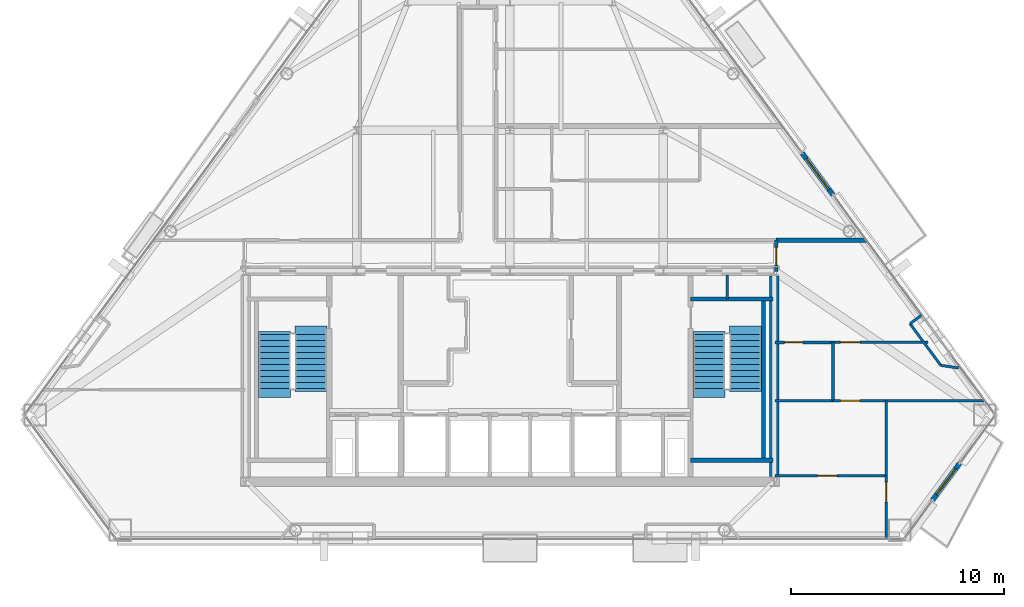
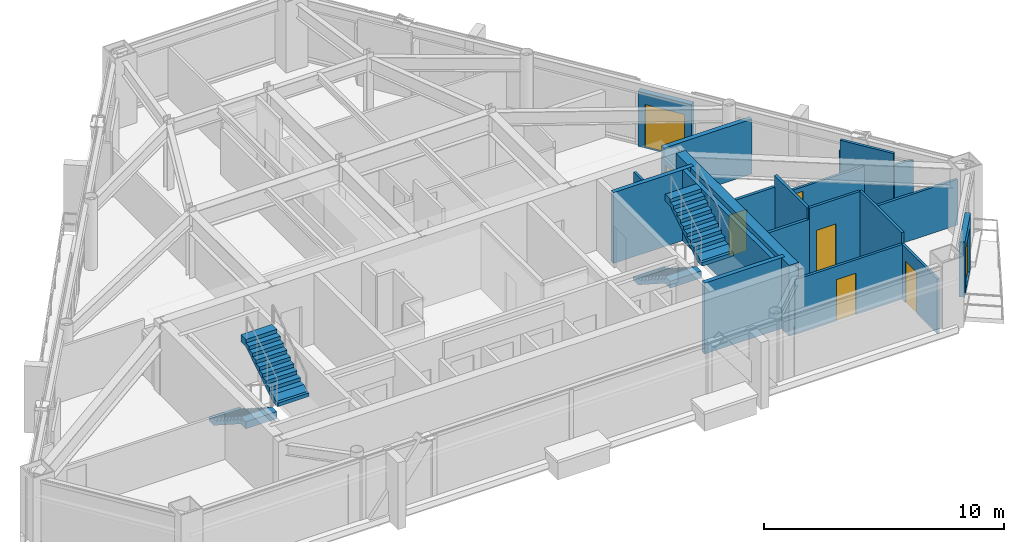
# One storey, part 9 of 11: 21 walls, 8 doors, 4 stair flights, 8 openings, 2 elements without a shape of their own.
"""IFC4 building model written with IfcOpenShell, lengths in metres."""

from ifc_helpers import new_model, si_unit, direction, frame, frame_2d, origin, place, context, subcontext, project, spatial, polyline, rectangle, outline, extrude, material, layer, layer_set, type_object, element, fill, aggregate, save


model = new_model("IFC4")

# Units and contexts
model_context = context("Model", 3, precision=1e-05, world=origin(), true_north=direction((0.0, 1.0)))
body_context = subcontext(model_context, "Body", "Model", "MODEL_VIEW")
ifc_project = project(units=[si_unit("LENGTHUNIT", "METRE"), si_unit("AREAUNIT", "SQUARE_METRE"), si_unit("VOLUMEUNIT", "CUBIC_METRE"), si_unit("PLANEANGLEUNIT", "RADIAN"), si_unit("MASSUNIT", "GRAM", prefix="KILO")], contexts=[model_context])

# Site, building, storey
site_placement = place(None, origin())
site = spatial("IfcSite", under=ifc_project, at=site_placement, CompositionType="ELEMENT")
building_placement = place(site_placement, origin())
building = spatial("IfcBuilding", under=site, at=building_placement, Name="Talgorran Terracotta Tower", CompositionType="ELEMENT")
storey_placement = place(building_placement, frame((0.0, 0.0, 178.5)))
storey = spatial("IfcBuildingStorey", under=building, at=storey_placement, Name="L46", CompositionType="ELEMENT", Elevation=178.5)

# Wall, opening, door
ifc_material_1 = material(Name="Concrete C40/50", Category="concrete")
ifc_layer_1 = layer(ifc_material_1, 0.239990234375, Name="WT_BALCONY_SPAND")
ifc_layer_set_1 = layer_set([ifc_layer_1], Name="Concrete C40/50")
wall_type_1 = type_object("IfcWallType", Name="WT_BALCONY_SPAND", PredefinedType="STANDARD", material=ifc_layer_set_1)
wall_1_placement = place(storey_placement, frame((15.168212890625, -0.63330078125, -0.014892578125), z_axis=(0.0, 0.0, 1.0), x_axis=(-0.593448168385, 0.804872208142, 0.0)))
wall_1 = element("IfcWall", 1, at=wall_1_placement, inside=storey, type_object=wall_type_1, Name="WL-L46-BALP-BAL-NE", PredefinedType="STANDARD", context=body_context, shape_type="SweptSolid", body=[
    extrude(rectangle(XDim=2.43994140625, YDim=0.239990234375, at=frame_2d((1.219970703125, 0.0))), origin(), (0.0, 0.0, 1.0), 2.806884765625),
])
opening_1_placement = place(wall_1_placement, frame((0.320068359375, 0.0, 0.014892578125)))
opening_1 = element("IfcOpeningElement", 2, at=opening_1_placement, cuts=wall_1, Name="Opening D-BAL-L46-1", PredefinedType="OPENING", context=body_context, shape_type="SweptSolid", body=[
    extrude(rectangle(XDim=1.806048828125, YDim=2.203951171875, at=frame_2d((0.89990234375, 1.10205078125))), frame((0.0, 0.1298828125, 0.0), z_axis=(0.0, -1.0, 0.0), x_axis=(1.0, 0.0, 0.0)), (0.0, 0.0, 1.0), 0.260009765625),
])
ifc_material_2 = material(Name="Thermally Broken Aluminium", Category="aluminium")
door_type_1 = type_object("IfcDoorType", Name="DT_BALC_1800", OperationType="SLIDING_TO_LEFT", PredefinedType="DOOR", material=ifc_material_2)
door_1_placement = place(opening_1_placement, origin())
door_1 = element("IfcDoor", 3, at=door_1_placement, inside=storey, type_object=door_type_1, Name="DR-L46-BAL-BAL-NE", OperationType="SLIDING_TO_LEFT", OverallHeight=2.199951171875, OverallWidth=1.800048828125, PredefinedType="DOOR", context=body_context, shape_type="SweptSolid", body=[
    extrude(rectangle(XDim=1.800048828125, YDim=2.199951171875, at=frame_2d((0.89990234375, 1.10009765625))), frame((0.0, 0.02490234375, 0.0), z_axis=(0.0, -1.0, 0.0), x_axis=(1.0, 0.0, 0.0)), (0.0, 0.0, 1.0), 0.050048828125),
])
fill(opening_1, door_1)

wall_2_placement = place(storey_placement, frame((19.843994140625, -14.966796875, -0.014892578125), z_axis=(0.0, 0.0, 1.0), x_axis=(0.593463631131, 0.804860806926, 0.0)))
wall_2 = element("IfcWall", 4, at=wall_2_placement, inside=storey, type_object=wall_type_1, Name="WL-L46-BALP-BAL-SE", PredefinedType="STANDARD", context=body_context, shape_type="SweptSolid", body=[
    extrude(rectangle(XDim=2.139892578125, YDim=0.239990234375, at=frame_2d((1.06982421875, 0.0))), origin(), (0.0, 0.0, 1.0), 2.806884765625),
])
opening_2_placement = place(wall_2_placement, frame((0.320068359375, 0.0, 0.014892578125)))
opening_2 = element("IfcOpeningElement", 5, at=opening_2_placement, cuts=wall_2, Name="Opening D-BAL-L46-3", PredefinedType="OPENING", context=body_context, shape_type="SweptSolid", body=[
    extrude(rectangle(XDim=1.506, YDim=2.203951171875, at=frame_2d((0.75, 1.10205078125))), frame((0.0, 0.1298828125, 0.0), z_axis=(0.0, -1.0, 0.0), x_axis=(1.0, 0.0, 0.0)), (0.0, 0.0, 1.0), 0.260009765625),
])
door_type_2 = type_object("IfcDoorType", Name="DT_BALC_1500", OperationType="SLIDING_TO_RIGHT", PredefinedType="DOOR", material=ifc_material_2)
door_2_placement = place(opening_2_placement, origin())
door_2 = element("IfcDoor", 6, at=door_2_placement, inside=storey, type_object=door_type_2, Name="DR-L46-BAL-BAL-SE", OperationType="SLIDING_TO_RIGHT", OverallHeight=2.199951171875, OverallWidth=1.5, PredefinedType="DOOR", context=body_context, shape_type="SweptSolid", body=[
    extrude(rectangle(XDim=1.5, YDim=2.199951171875, at=frame_2d((0.75, 1.10009765625))), frame((0.0, 0.02490234375, 0.0), z_axis=(0.0, -1.0, 0.0), x_axis=(1.0, 0.0, 0.0)), (0.0, 0.0, 1.0), 0.050048828125),
])
fill(opening_2, door_2)

# Walls
ifc_material_3 = material(Name="Concrete C50/60", Category="concrete")
ifc_layer_2 = layer(ifc_material_3, 0.199951171875, Name="WT_CORE_200")
ifc_layer_set_2 = layer_set([ifc_layer_2], Name="Concrete C50/60")
wall_type_2 = type_object("IfcWallType", Name="WT_CORE_200", PredefinedType="SOLIDWALL", material=ifc_layer_set_2)
for number, where, z_axis, x_axis, name in (
    (7, (8.47998046875, -5.52001953125, 0.0), (0.0, 0.0, 1.0), (1.0, 0.0, 0.0), "WL-L46-CW-ST2-N"),
    (8, (8.47998046875, -13.10009765625, 0.0), (0.0, 0.0, 1.0), (1.0, 0.0, 0.0), "WL-L46-CW-ST2-S"),
):
    element("IfcWall", number, at=place(storey_placement, frame(where, z_axis=z_axis, x_axis=x_axis)), inside=storey, type_object=wall_type_2, Name=name, PredefinedType="SOLIDWALL", context=body_context, shape_type="SweptSolid", body=[
        extrude(rectangle(XDim=3.8701171875, YDim=0.199951171875, at=frame_2d((1.93505859375, 0.0))), origin(), (0.0, 0.0, 1.0), 3.60009765625),
    ])
wall_3_placement = place(storey_placement, frame((11.89990234375, -13.10009765625, 0.0), z_axis=(0.0, 0.0, 1.0), x_axis=(0.0, 1.0, 0.0)))
element("IfcWall", 9, at=wall_3_placement, inside=storey, type_object=wall_type_2, Name="WL-L46-CW-ST2-E", PredefinedType="SOLIDWALL", context=body_context, shape_type="SweptSolid", body=[
    extrude(rectangle(XDim=7.580078125, YDim=0.199951171875, at=frame_2d((3.7900390625, 0.0))), origin(), (0.0, 0.0, 1.0), 3.60009765625),
])
ifc_material_4 = material(Name="Concrete C65/80", Category="concrete")
ifc_layer_3 = layer(ifc_material_4, 0.449951171875, Name="WT_CORE_EXT")
ifc_layer_set_3 = layer_set([ifc_layer_3], Name="Concrete C65/80")
wall_type_3 = type_object("IfcWallType", Name="WT_CORE_EXT", PredefinedType="SHEAR", material=ifc_layer_set_3)
wall_4_placement = place(storey_placement, frame((12.39990234375, -13.85009765625, 0.0), z_axis=(0.0, 0.0, 1.0), x_axis=(0.0, 1.0, 0.0)))
element("IfcWall", 10, at=wall_4_placement, inside=storey, type_object=wall_type_3, Name="WL-L46-CW-OUT-E", PredefinedType="SHEAR", context=body_context, shape_type="SweptSolid", body=[
    extrude(rectangle(XDim=9.400146484375, YDim=0.449951171875, at=frame_2d((4.7001953125, 0.0))), origin(), (0.0, 0.0, 1.0), 3.60009765625),
])

# Wall, opening, door
ifc_material_5 = material(Name="Fire-Rated Steel Stud Plasterboard", Category="steel")
ifc_layer_4 = layer(ifc_material_5, 0.14990234375, Name="WT_FIRE_150")
ifc_layer_set_4 = layer_set([ifc_layer_4], Name="Fire-Rated Steel Stud Plasterboard")
wall_type_4 = type_object("IfcWallType", Name="WT_FIRE_150", PredefinedType="PARTITIONING", material=ifc_layer_set_4)
wall_5_placement = place(storey_placement, frame((12.5, -4.239990234375, 0.0), z_axis=(0.0, 0.0, 1.0), x_axis=(0.0, 1.0, 0.0)))
wall_5 = element("IfcWall", 11, at=wall_5_placement, inside=storey, type_object=wall_type_4, Name="WL-L46-W-L46-R01", PredefinedType="PARTITIONING", context=body_context, shape_type="SweptSolid", body=[
    extrude(rectangle(XDim=1.47998046875, YDim=0.14990234375, at=frame_2d((0.739990234375, 0.0))), origin(), (0.0, 0.0, 1.0), 2.324951171875),
])
opening_3_placement = place(wall_5_placement, frame((0.31494140625, 0.0, 0.0)))
opening_3 = element("IfcOpeningElement", 12, at=opening_3_placement, cuts=wall_5, Name="Opening DR-L46-R01", PredefinedType="OPENING", context=body_context, shape_type="SweptSolid", body=[
    extrude(rectangle(XDim=0.826068359375, YDim=2.10409765625, at=frame_2d((0.41015625, 1.052001953125))), frame((0.0, 0.0849609375, 0.0), z_axis=(0.0, -1.0, 0.0), x_axis=(1.0, 0.0, 0.0)), (0.0, 0.0, 1.0), 0.169921875),
])
ifc_material_6 = material(Name="Moisture-Resistant Solid Timber", Category="wood")
door_type_3 = type_object("IfcDoorType", Name="DT_INT_820", OperationType="NOTDEFINED", PredefinedType="DOOR", material=ifc_material_6)
door_3_placement = place(opening_3_placement, origin())
door_3 = element("IfcDoor", 13, at=door_3_placement, inside=storey, type_object=door_type_3, Name="DR-L46-R01", OperationType="SINGLE_SWING_LEFT", OverallHeight=2.10009765625, OverallWidth=0.820068359375, PredefinedType="DOOR", context=body_context, shape_type="SweptSolid", body=[
    extrude(rectangle(XDim=0.820068359375, YDim=2.10009765625, at=frame_2d((0.41015625, 1.050048828125))), frame((0.0, 0.02490234375, 0.0), z_axis=(0.0, -1.0, 0.0), x_axis=(1.0, 0.0, 0.0)), (0.0, 0.0, 1.0), 0.050048828125),
])
fill(opening_3, door_3)

# Walls
ifc_material_7 = material(Name="Acoustic Masonry and Plasterboard", Category="masonry")
ifc_layer_5 = layer(ifc_material_7, 0.219970703125, Name="WT_PARTY_220")
ifc_layer_set_5 = layer_set([ifc_layer_5], Name="Acoustic Masonry and Plasterboard")
wall_type_5 = type_object("IfcWallType", Name="WT_PARTY_220", PredefinedType="PARTITIONING", material=ifc_layer_set_5)
wall_6_placement = place(storey_placement, frame((12.5, -2.760009765625, 0.0), z_axis=(0.0, 0.0, 1.0), x_axis=(1.0, 0.0, 0.0)))
element("IfcWall", 14, at=wall_6_placement, inside=storey, type_object=wall_type_5, Name="WL-L46-W-L46-R16", PredefinedType="PARTITIONING", context=body_context, shape_type="SweptSolid", body=[
    extrude(rectangle(XDim=4.236572265625, YDim=0.219970703125, at=frame_2d((2.1181640625, 0.0))), origin(), (0.0, 0.0, 1.0), 2.7919921875),
])
ifc_material_8 = material(Name="Insulated Steel Stud Plasterboard", Category="steel")
ifc_layer_6 = layer(ifc_material_8, 0.1201171875, Name="WT_PART_120")
ifc_layer_set_6 = layer_set([ifc_layer_6], Name="Insulated Steel Stud Plasterboard")
wall_type_6 = type_object("IfcWallType", Name="WT_PART_120", PredefinedType="PARTITIONING", material=ifc_layer_set_6)
wall_7_placement = place(storey_placement, frame((10.199951171875, -5.52001953125, 0.0), z_axis=(0.0, 0.0, 1.0), x_axis=(0.0, 1.0, 0.0)))
element("IfcWall", 15, at=wall_7_placement, inside=storey, type_object=wall_type_6, Name="WL-L46-CW-CSE-DIV", PredefinedType="PARTITIONING", context=body_context, shape_type="SweptSolid", body=[
    extrude(rectangle(XDim=1.1201171875, YDim=0.1201171875, at=frame_2d((0.56005859375, 0.0))), origin(), (0.0, 0.0, 1.0), 3.35009765625),
])

# Wall, opening, door
wall_8_placement = place(storey_placement, frame((12.43994140625, -13.820068359375, 0.0), z_axis=(0.0, 0.0, 1.0), x_axis=(1.0, 0.0, 0.0)))
wall_8 = element("IfcWall", 16, at=wall_8_placement, inside=storey, type_object=wall_type_6, Name="WL-L46-W-L46-R21", PredefinedType="PARTITIONING", context=body_context, shape_type="SweptSolid", body=[
    extrude(rectangle(XDim=5.219970703125, YDim=0.1201171875, at=frame_2d((2.60986328125, 0.0))), origin(), (0.0, 0.0, 1.0), 2.7919921875),
])
opening_4_placement = place(wall_8_placement, frame((2.0029296875, 0.0, 0.0)))
opening_4 = element("IfcOpeningElement", 17, at=opening_4_placement, cuts=wall_8, Name="Opening DR-L46-R05", PredefinedType="OPENING", context=body_context, shape_type="SweptSolid", body=[
    extrude(rectangle(XDim=0.925921875, YDim=2.10409765625, at=frame_2d((0.4599609375, 1.052001953125))), frame((0.0, 0.070068359375, 0.0), z_axis=(0.0, -1.0, 0.0), x_axis=(1.0, 0.0, 0.0)), (0.0, 0.0, 1.0), 0.14013671875),
])
ifc_material_9 = material(Name="Solid-Core Painted Timber", Category="wood")
door_type_4 = type_object("IfcDoorType", Name="DT_INT_920", OperationType="NOTDEFINED", PredefinedType="DOOR", material=ifc_material_9)
door_4_placement = place(opening_4_placement, origin())
door_4 = element("IfcDoor", 18, at=door_4_placement, inside=storey, type_object=door_type_4, Name="DR-L46-R05", OperationType="SINGLE_SWING_LEFT", OverallHeight=2.10009765625, OverallWidth=0.919921875, PredefinedType="DOOR", context=body_context, shape_type="SweptSolid", body=[
    extrude(rectangle(XDim=0.919921875, YDim=2.10009765625, at=frame_2d((0.4599609375, 1.050048828125))), frame((0.0, 0.02490234375, 0.0), z_axis=(0.0, -1.0, 0.0), x_axis=(1.0, 0.0, 0.0)), (0.0, 0.0, 1.0), 0.050048828125),
])
fill(opening_4, door_4)

# Wall
wall_9_placement = place(storey_placement, frame((17.60009765625, -10.300048828125, 0.0), z_axis=(0.0, 0.0, 1.0), x_axis=(1.0, 0.0, 0.0)))
element("IfcWall", 19, at=wall_9_placement, inside=storey, type_object=wall_type_6, Name="WL-L46-W-L46-R20", PredefinedType="PARTITIONING", context=body_context, shape_type="SweptSolid", body=[
    extrude(rectangle(XDim=4.696533203125, YDim=0.1201171875, at=frame_2d((2.34814453125, 0.0))), origin(), (0.0, 0.0, 1.0), 2.324951171875),
])

# Wall, opening, door
wall_10_placement = place(storey_placement, frame((15.080078125, -7.56005859375, 0.0), z_axis=(0.0, 0.0, 1.0), x_axis=(1.0, 0.0, 0.0)))
wall_10 = element("IfcWall", 20, at=wall_10_placement, inside=storey, type_object=wall_type_6, Name="WL-L46-W-L46-R15", PredefinedType="PARTITIONING", context=body_context, shape_type="SweptSolid", body=[
    extrude(rectangle(XDim=4.559814453125, YDim=0.1201171875, at=frame_2d((2.27978515625, 0.0))), origin(), (0.0, 0.0, 1.0), 2.324951171875),
])
opening_5_placement = place(wall_10_placement, frame((0.43798828125, 0.0, 0.0)))
opening_5 = element("IfcOpeningElement", 21, at=opening_5_placement, cuts=wall_10, Name="Opening DR-L46-R03", PredefinedType="OPENING", context=body_context, shape_type="SweptSolid", body=[
    extrude(rectangle(XDim=0.925921875, YDim=2.10409765625, at=frame_2d((0.4599609375, 1.052001953125))), frame((0.0, 0.070068359375, 0.0), z_axis=(0.0, -1.0, 0.0), x_axis=(1.0, 0.0, 0.0)), (0.0, 0.0, 1.0), 0.14013671875),
])
door_5_placement = place(opening_5_placement, origin())
door_5 = element("IfcDoor", 22, at=door_5_placement, inside=storey, type_object=door_type_4, Name="DR-L46-R03", OperationType="SINGLE_SWING_LEFT", OverallHeight=2.10009765625, OverallWidth=0.919921875, PredefinedType="DOOR", context=body_context, shape_type="SweptSolid", body=[
    extrude(rectangle(XDim=0.919921875, YDim=2.10009765625, at=frame_2d((0.4599609375, 1.050048828125))), frame((0.0, 0.02490234375, 0.0), z_axis=(0.0, -1.0, 0.0), x_axis=(1.0, 0.0, 0.0)), (0.0, 0.0, 1.0), 0.050048828125),
])
fill(opening_5, door_5)

# Wall
wall_11_placement = place(storey_placement, frame((17.659912109375, -13.820068359375, 0.0), z_axis=(0.0, 0.0, 1.0), x_axis=(0.0, 1.0, 0.0)))
element("IfcWall", 23, at=wall_11_placement, inside=storey, type_object=wall_type_6, Name="WL-L46-W-L46-R23", PredefinedType="PARTITIONING", context=body_context, shape_type="SweptSolid", body=[
    extrude(rectangle(XDim=3.52001953125, YDim=0.1201171875, at=frame_2d((1.760009765625, 0.0))), origin(), (0.0, 0.0, 1.0), 3.35009765625),
])

# Wall, opening, door
wall_12_placement = place(storey_placement, frame((17.659912109375, -16.78564453125, 0.0), z_axis=(0.0, 0.0, 1.0), x_axis=(0.0, 1.0, 0.0)))
wall_12 = element("IfcWall", 24, at=wall_12_placement, inside=storey, type_object=wall_type_6, Name="WL-L46-W-L46-R22", PredefinedType="PARTITIONING", context=body_context, shape_type="SweptSolid", body=[
    extrude(rectangle(XDim=2.965576171875, YDim=0.1201171875, at=frame_2d((1.48291015625, 0.0))), origin(), (0.0, 0.0, 1.0), 2.7919921875),
])
opening_6_placement = place(wall_12_placement, frame((1.727294921875, 0.0, 0.0)))
opening_6 = element("IfcOpeningElement", 25, at=opening_6_placement, cuts=wall_12, Name="Opening DR-L46-R04", PredefinedType="OPENING", context=body_context, shape_type="SweptSolid", body=[
    extrude(rectangle(XDim=0.925921875, YDim=2.10409765625, at=frame_2d((0.4599609375, 1.052001953125))), frame((0.0, 0.070068359375, 0.0), z_axis=(0.0, -1.0, 0.0), x_axis=(1.0, 0.0, 0.0)), (0.0, 0.0, 1.0), 0.14013671875),
])
door_6_placement = place(opening_6_placement, origin())
door_6 = element("IfcDoor", 26, at=door_6_placement, inside=storey, type_object=door_type_4, Name="DR-L46-R04", OperationType="SINGLE_SWING_RIGHT", OverallHeight=2.10009765625, OverallWidth=0.919921875, PredefinedType="DOOR", context=body_context, shape_type="SweptSolid", body=[
    extrude(rectangle(XDim=0.919921875, YDim=2.10009765625, at=frame_2d((0.4599609375, 1.050048828125))), frame((0.0, 0.02490234375, 0.0), z_axis=(0.0, -1.0, 0.0), x_axis=(1.0, 0.0, 0.0)), (0.0, 0.0, 1.0), 0.050048828125),
])
fill(opening_6, door_6)

wall_13_placement = place(storey_placement, frame((15.159912109375, -10.300048828125, 0.0), z_axis=(0.0, 0.0, 1.0), x_axis=(1.0, 0.0, 0.0)))
wall_13 = element("IfcWall", 27, at=wall_13_placement, inside=storey, type_object=wall_type_6, Name="WL-L46-W-L46-R19", PredefinedType="PARTITIONING", context=body_context, shape_type="SweptSolid", body=[
    extrude(rectangle(XDim=2.43798828125, YDim=0.1201171875, at=frame_2d((1.218994140625, 0.0))), origin(), (0.0, 0.0, 1.0), 3.35009765625),
])
opening_7_placement = place(wall_13_placement, frame((0.360107421875, 0.0, 0.0)))
opening_7 = element("IfcOpeningElement", 28, at=opening_7_placement, cuts=wall_13, Name="Opening DR-L46-R16", PredefinedType="OPENING", context=body_context, shape_type="SweptSolid", body=[
    extrude(rectangle(XDim=0.925921875, YDim=2.10409765625, at=frame_2d((0.4599609375, 1.052001953125))), frame((0.0, 0.070068359375, 0.0), z_axis=(0.0, -1.0, 0.0), x_axis=(1.0, 0.0, 0.0)), (0.0, 0.0, 1.0), 0.14013671875),
])
door_7_placement = place(opening_7_placement, origin())
door_7 = element("IfcDoor", 29, at=door_7_placement, inside=storey, type_object=door_type_4, Name="DR-L46-R16", OperationType="SINGLE_SWING_RIGHT", OverallHeight=2.10009765625, OverallWidth=0.919921875, PredefinedType="DOOR", context=body_context, shape_type="SweptSolid", body=[
    extrude(rectangle(XDim=0.919921875, YDim=2.10009765625, at=frame_2d((0.4599609375, 1.050048828125))), frame((0.0, 0.02490234375, 0.0), z_axis=(0.0, -1.0, 0.0), x_axis=(1.0, 0.0, 0.0)), (0.0, 0.0, 1.0), 0.050048828125),
])
fill(opening_7, door_7)

# Walls
wall_14_placement = place(storey_placement, frame((20.2265625, -8.638427734375, 0.0), z_axis=(0.0, 0.0, 1.0), x_axis=(-0.593517740009, 0.804820906969, 0.0)))
element("IfcWall", 30, at=wall_14_placement, inside=storey, type_object=wall_type_6, Name="WL-L46-BW-L46-13", PredefinedType="PARTITIONING", context=body_context, shape_type="SweptSolid", body=[
    extrude(rectangle(XDim=2.429931640625, YDim=0.1201171875, at=frame_2d((1.21484375, 0.0))), origin(), (0.0, 0.0, 1.0), 3.35009765625),
])
wall_15_placement = place(storey_placement, frame((21.06689453125, -8.7626953125, 0.0), z_axis=(0.0, 0.0, 1.0), x_axis=(-0.989242005698, 0.146288257089, 0.0)))
element("IfcWall", 31, at=wall_15_placement, inside=storey, type_object=wall_type_6, Name="WL-L46-BW-L46-12", PredefinedType="PARTITIONING", context=body_context, shape_type="SweptSolid", body=[
    extrude(rectangle(XDim=0.849365234375, YDim=0.1201171875, at=frame_2d((0.4248046875, 0.0))), origin(), (0.0, 0.0, 1.0), 2.7919921875),
])
wall_16_placement = place(storey_placement, frame((18.784423828125, -6.682861328125, 0.0), z_axis=(0.0, 0.0, 1.0), x_axis=(0.804698441933, 0.59368376898, 0.0)))
element("IfcWall", 32, at=wall_16_placement, inside=storey, type_object=wall_type_6, Name="WL-L46-BW-L46-11", PredefinedType="PARTITIONING", context=body_context, shape_type="SweptSolid", body=[
    extrude(rectangle(XDim=0.669921875, YDim=0.1201171875, at=frame_2d((0.3349609375, 0.0))), origin(), (0.0, 0.0, 1.0), 2.7919921875),
])

# Wall, opening, door
ifc_material_10 = material(Name="Moisture-Resistant Stud Wall")
ifc_layer_7 = layer(ifc_material_10, 0.135009765625, Name="WT_PART_135")
ifc_layer_set_7 = layer_set([ifc_layer_7], Name="Moisture-Resistant Stud Wall")
wall_type_7 = type_object("IfcWallType", Name="WT_PART_135", PredefinedType="PARTITIONING", material=ifc_layer_set_7)
wall_17_placement = place(storey_placement, frame((12.43994140625, -7.56005859375, 0.0), z_axis=(0.0, 0.0, 1.0), x_axis=(1.0, 0.0, 0.0)))
wall_17 = element("IfcWall", 33, at=wall_17_placement, inside=storey, type_object=wall_type_7, Name="WL-L46-W-L46-R14", PredefinedType="PARTITIONING", context=body_context, shape_type="SweptSolid", body=[
    extrude(rectangle(XDim=2.637939453125, YDim=0.135009765625, at=frame_2d((1.31884765625, 0.0))), origin(), (0.0, 0.0, 1.0), 2.7919921875),
])
opening_8_placement = place(wall_17_placement, frame((0.458251953125, 0.0, 0.0)))
opening_8 = element("IfcOpeningElement", 34, at=opening_8_placement, cuts=wall_17, Name="Opening DR-L46-R02", PredefinedType="OPENING", context=body_context, shape_type="SweptSolid", body=[
    extrude(rectangle(XDim=0.85609765625, YDim=2.10409765625, at=frame_2d((0.425048828125, 1.052001953125))), frame((0.0, 0.07763671875, 0.0), z_axis=(0.0, -1.0, 0.0), x_axis=(1.0, 0.0, 0.0)), (0.0, 0.0, 1.0), 0.155029296875),
])
door_type_5 = type_object("IfcDoorType", Name="DT_INT_850", OperationType="NOTDEFINED", PredefinedType="DOOR", material=ifc_material_6)
door_8_placement = place(opening_8_placement, origin())
door_8 = element("IfcDoor", 35, at=door_8_placement, inside=storey, type_object=door_type_5, Name="DR-L46-R02", OperationType="SINGLE_SWING_RIGHT", OverallHeight=2.10009765625, OverallWidth=0.85009765625, PredefinedType="DOOR", context=body_context, shape_type="SweptSolid", body=[
    extrude(rectangle(XDim=0.85009765625, YDim=2.10009765625, at=frame_2d((0.425048828125, 1.050048828125))), frame((0.0, 0.02490234375, 0.0), z_axis=(0.0, -1.0, 0.0), x_axis=(1.0, 0.0, 0.0)), (0.0, 0.0, 1.0), 0.050048828125),
])
fill(opening_8, door_8)

# Walls
wall_18_placement = place(storey_placement, frame((15.159912109375, -10.300048828125, 0.0), z_axis=(0.0, 0.0, 1.0), x_axis=(0.0, 1.0, 0.0)))
element("IfcWall", 36, at=wall_18_placement, inside=storey, type_object=wall_type_7, Name="WL-L46-W-L46-R17", PredefinedType="PARTITIONING", context=body_context, shape_type="SweptSolid", body=[
    extrude(rectangle(XDim=2.739990234375, YDim=0.135009765625, at=frame_2d((1.3701171875, 0.0))), origin(), (0.0, 0.0, 1.0), 3.35009765625),
])
wall_19_placement = place(storey_placement, frame((12.43994140625, -10.300048828125, 0.0), z_axis=(0.0, 0.0, 1.0), x_axis=(1.0, 0.0, 0.0)))
element("IfcWall", 37, at=wall_19_placement, inside=storey, type_object=wall_type_7, Name="WL-L46-W-L46-R18", PredefinedType="PARTITIONING", context=body_context, shape_type="SweptSolid", body=[
    extrude(rectangle(XDim=2.719970703125, YDim=0.135009765625, at=frame_2d((1.35986328125, 0.0))), origin(), (0.0, 0.0, 1.0), 2.7919921875),
])

# Stair, stair flights
stair_type = type_object("IfcStairType", Name="ST_FIRE_SCISSOR", PredefinedType="HALF_TURN_STAIR", material=ifc_material_1)
stair_1_placement = place(storey_placement, origin())
stair_1 = element("IfcStair", 38, at=stair_1_placement, inside=storey, type_object=stair_type, Name="L46 West Protected Fire Stair ST-01", PredefinedType="HALF_TURN_STAIR")
ifc_layer_8 = layer(ifc_material_1, 0.179931640625, Name="STF_RC_1500")
ifc_layer_set_8 = layer_set([ifc_layer_8], Name="Concrete C40/50")
stair_flight_type = type_object("IfcStairFlightType", Name="STF_RC_1500", PredefinedType="STRAIGHT", material=ifc_layer_set_8)
stair_flight_1_placement = place(storey_placement, frame((-11.050048828125, -7.199951171875, 0.0), z_axis=(0.0, 0.0, 1.0), x_axis=(0.0, -1.0, 0.0)))
stair_flight_1 = element("IfcStairFlight", 39, at=stair_flight_1_placement, type_object=stair_flight_type, Name="ST-01 flight 1", NumberOfRisers=10, NumberOfTreads=9, PredefinedType="STRAIGHT", RiserHeight=0.18, TreadLength=0.28, context=body_context, shape_type="SweptSolid", body=[
    extrude(outline(polyline([(-0.139892578125, 0.0), (-0.139892578125, 0.179931640625), (0.0, 0.179931640625), (0.280029296875, 0.360107421875), (0.56005859375, 0.360107421875), (0.56005859375, 0.5400390625), (0.840087890625, 0.5400390625), (0.840087890625, 0.719970703125), (1.1201171875, 0.719970703125), (1.1201171875, 0.89990234375), (1.39990234375, 0.89990234375), (1.39990234375, 1.080078125), (1.679931640625, 1.080078125), (1.679931640625, 1.260009765625), (1.9599609375, 1.260009765625), (1.9599609375, 1.43994140625), (2.239990234375, 1.43994140625), (2.239990234375, 1.6201171875), (2.52001953125, 1.6201171875), (2.52001953125, 1.800048828125), (2.93994140625, 1.800048828125), (2.93994140625, 1.44189453125), (2.52001953125, 1.44189453125), (0.277099609375, 0.0), (-0.139892578125, 0.0)])), frame((0.0, 0.75, 0.0), z_axis=(0.0, -1.0, 0.0), x_axis=(1.0, 0.0, 0.0)), (0.0, 0.0, 1.0), 1.5),
])
stair_flight_2_placement = place(storey_placement, frame((-9.35009765625, -9.719970703125, 1.800048828125), z_axis=(0.0, 0.0, 1.0), x_axis=(0.0, 1.0, 0.0)))
stair_flight_2 = element("IfcStairFlight", 40, at=stair_flight_2_placement, type_object=stair_flight_type, Name="ST-01 flight 2", NumberOfRisers=10, NumberOfTreads=9, PredefinedType="STRAIGHT", RiserHeight=0.18, TreadLength=0.28, context=body_context, shape_type="SweptSolid", body=[
    extrude(outline(polyline([(-0.139892578125, 0.0), (-0.139892578125, 0.179931640625), (0.0, 0.179931640625), (0.280029296875, 0.360107421875), (0.56005859375, 0.360107421875), (0.56005859375, 0.5400390625), (0.840087890625, 0.5400390625), (0.840087890625, 0.719970703125), (1.1201171875, 0.719970703125), (1.1201171875, 0.89990234375), (1.39990234375, 0.89990234375), (1.39990234375, 1.080078125), (1.679931640625, 1.080078125), (1.679931640625, 1.260009765625), (1.9599609375, 1.260009765625), (1.9599609375, 1.43994140625), (2.239990234375, 1.43994140625), (2.239990234375, 1.6201171875), (2.52001953125, 1.6201171875), (2.52001953125, 1.800048828125), (2.93994140625, 1.800048828125), (2.93994140625, 1.44189453125), (2.52001953125, 1.44189453125), (0.277099609375, 0.0), (-0.139892578125, 0.0)])), frame((0.0, 0.75, 0.0), z_axis=(0.0, -1.0, 0.0), x_axis=(1.0, 0.0, 0.0)), (0.0, 0.0, 1.0), 1.5),
])
aggregate(stair_1, [stair_flight_1, stair_flight_2])

stair_2_placement = place(storey_placement, origin())
stair_2 = element("IfcStair", 41, at=stair_2_placement, inside=storey, type_object=stair_type, Name="L46 East Protected Fire Stair ST-02", PredefinedType="HALF_TURN_STAIR")
stair_flight_3_placement = place(storey_placement, frame((9.35009765625, -7.199951171875, 0.0), z_axis=(0.0, 0.0, 1.0), x_axis=(0.0, -1.0, 0.0)))
stair_flight_3 = element("IfcStairFlight", 42, at=stair_flight_3_placement, type_object=stair_flight_type, Name="ST-02 flight 1", NumberOfRisers=10, NumberOfTreads=9, PredefinedType="STRAIGHT", RiserHeight=0.18, TreadLength=0.28, context=body_context, shape_type="SweptSolid", body=[
    extrude(outline(polyline([(-0.139892578125, 0.0), (-0.139892578125, 0.179931640625), (0.0, 0.179931640625), (0.280029296875, 0.360107421875), (0.56005859375, 0.360107421875), (0.56005859375, 0.5400390625), (0.840087890625, 0.5400390625), (0.840087890625, 0.719970703125), (1.1201171875, 0.719970703125), (1.1201171875, 0.89990234375), (1.39990234375, 0.89990234375), (1.39990234375, 1.080078125), (1.679931640625, 1.080078125), (1.679931640625, 1.260009765625), (1.9599609375, 1.260009765625), (1.9599609375, 1.43994140625), (2.239990234375, 1.43994140625), (2.239990234375, 1.6201171875), (2.52001953125, 1.6201171875), (2.52001953125, 1.800048828125), (2.93994140625, 1.800048828125), (2.93994140625, 1.44189453125), (2.52001953125, 1.44189453125), (0.277099609375, 0.0), (-0.139892578125, 0.0)])), frame((0.0, 0.75, 0.0), z_axis=(0.0, -1.0, 0.0), x_axis=(1.0, 0.0, 0.0)), (0.0, 0.0, 1.0), 1.5),
])
stair_flight_4_placement = place(storey_placement, frame((11.050048828125, -9.719970703125, 1.800048828125), z_axis=(0.0, 0.0, 1.0), x_axis=(0.0, 1.0, 0.0)))
stair_flight_4 = element("IfcStairFlight", 43, at=stair_flight_4_placement, type_object=stair_flight_type, Name="ST-02 flight 2", NumberOfRisers=10, NumberOfTreads=9, PredefinedType="STRAIGHT", RiserHeight=0.18, TreadLength=0.28, context=body_context, shape_type="SweptSolid", body=[
    extrude(outline(polyline([(-0.139892578125, 0.0), (-0.139892578125, 0.179931640625), (0.0, 0.179931640625), (0.280029296875, 0.360107421875), (0.56005859375, 0.360107421875), (0.56005859375, 0.5400390625), (0.840087890625, 0.5400390625), (0.840087890625, 0.719970703125), (1.1201171875, 0.719970703125), (1.1201171875, 0.89990234375), (1.39990234375, 0.89990234375), (1.39990234375, 1.080078125), (1.679931640625, 1.080078125), (1.679931640625, 1.260009765625), (1.9599609375, 1.260009765625), (1.9599609375, 1.43994140625), (2.239990234375, 1.43994140625), (2.239990234375, 1.6201171875), (2.52001953125, 1.6201171875), (2.52001953125, 1.800048828125), (2.93994140625, 1.800048828125), (2.93994140625, 1.44189453125), (2.52001953125, 1.44189453125), (0.277099609375, 0.0), (-0.139892578125, 0.0)])), frame((0.0, 0.75, 0.0), z_axis=(0.0, -1.0, 0.0), x_axis=(1.0, 0.0, 0.0)), (0.0, 0.0, 1.0), 1.5),
])
aggregate(stair_2, [stair_flight_3, stair_flight_4])

save(model, "model.ifc")
